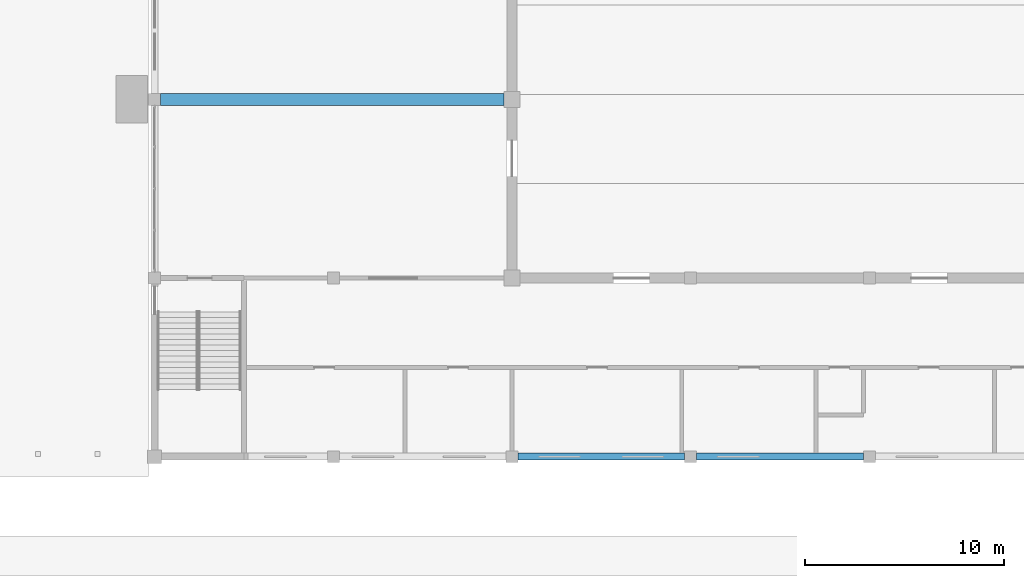
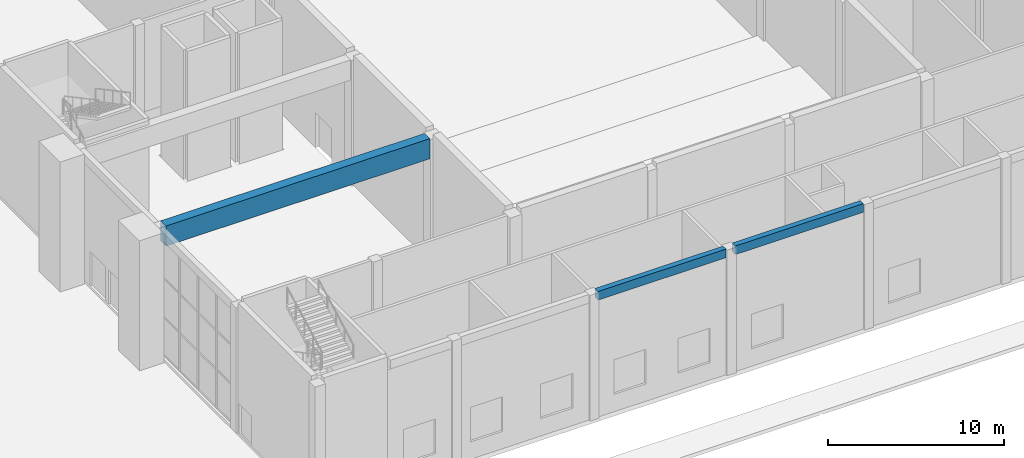
# One storey, part 11 of 44: 3 beams.
"""IFC4 building model written with IfcOpenShell, lengths in metres."""

from ifc_helpers import new_model, si_unit, direction, frame, origin, origin_2d, place, context, subcontext, project, spatial, rectangle, extrude, material, material_profile, profile_set, type_object, element, save


model = new_model("IFC4")

# Units and contexts
model_context = context("Model", 3, precision=1e-05, world=origin(), true_north=direction((0.0, 1.0)))
body_context = subcontext(model_context, "Body", "Model", "MODEL_VIEW")
ifc_project = project(units=[si_unit("LENGTHUNIT", "METRE"), si_unit("AREAUNIT", "SQUARE_METRE"), si_unit("VOLUMEUNIT", "CUBIC_METRE"), si_unit("PLANEANGLEUNIT", "RADIAN"), si_unit("MASSUNIT", "GRAM", prefix="KILO")], contexts=[model_context])

# Site, building, storey
site_placement = place(None, origin())
site = spatial("IfcSite", under=ifc_project, at=site_placement, CompositionType="ELEMENT")
building_placement = place(site_placement, origin())
building = spatial("IfcBuilding", under=site, at=building_placement, Name="Firuza Court", CompositionType="ELEMENT")
storey_placement = place(building_placement, origin())
storey = spatial("IfcBuildingStorey", under=building, at=storey_placement, Name="L00", CompositionType="ELEMENT", Elevation=0.0)

# Beams
ifc_material_1 = material(Name="Concrete C40/50", Category="concrete")
ifc_material_profile_1 = material_profile(ifc_material_1, rectangle(XDim=0.60009765625, YDim=1.39990234375, at=origin_2d()), Name="RC 600X1400")
ifc_profile_set_1 = profile_set([ifc_material_profile_1], Name="Concrete C40/50")
beam_type_1 = type_object("IfcBeamType", Name="RC GIRDER 600X1400", PredefinedType="BEAM", material=ifc_profile_set_1)
beam_placement = place(storey_placement, frame((90.300537109375, 9.0, 8.0), z_axis=(1.0, 0.0, 0.0), x_axis=(0.0, 1.0, 0.0)))
element("IfcBeam", 1, at=beam_placement, inside=storey, type_object=beam_type_1, Name="Girder 9 L00", PredefinedType="BEAM", context=body_context, shape_type="SweptSolid", body=[
    extrude(rectangle(XDim=0.60009765625, YDim=1.39990234375, at=origin_2d()), origin(), (0.0, 0.0, 1.0), 17.299072265625),
])
ifc_material_2 = material(Name="Concrete C40/50", Category="concrete")
ifc_material_profile_2 = material_profile(ifc_material_2, rectangle(XDim=0.35009765625, YDim=0.60009765625, at=origin_2d()), Name="RC 350X600")
ifc_profile_set_2 = profile_set([ifc_material_profile_2], Name="Concrete C40/50")
beam_type_2 = type_object("IfcBeamType", Name="RC RING BEAM 350X600", PredefinedType="BEAM", material=ifc_profile_set_2)
for number, where, z_axis, x_axis, name in (
    (2, (108.300048828125, -9.0, 8.39990234375), (1.0, 0.0, 0.0), (0.0, 1.0, 0.0), "Edge beam S5.1 L00"),
    (3, (117.300048828125, -9.0, 8.39990234375), (1.0, 0.0, 0.0), (0.0, 1.0, 0.0), "Edge beam S7.1 L00"),
):
    element("IfcBeam", number, at=place(storey_placement, frame(where, z_axis=z_axis, x_axis=x_axis)), inside=storey, type_object=beam_type_2, Name=name, PredefinedType="BEAM", context=body_context, shape_type="SweptSolid", body=[
        extrude(rectangle(XDim=0.35009765625, YDim=0.60009765625, at=origin_2d()), origin(), (0.0, 0.0, 1.0), 8.39990234375),
    ])

save(model, "model.ifc")
